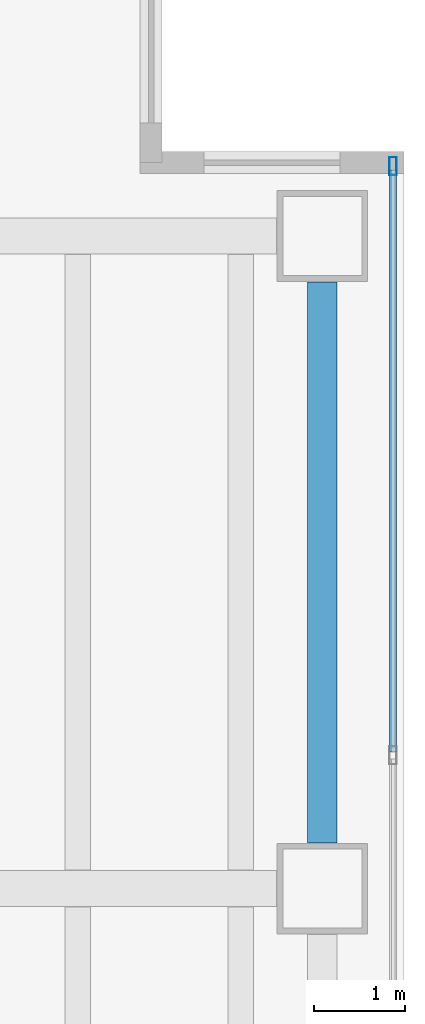
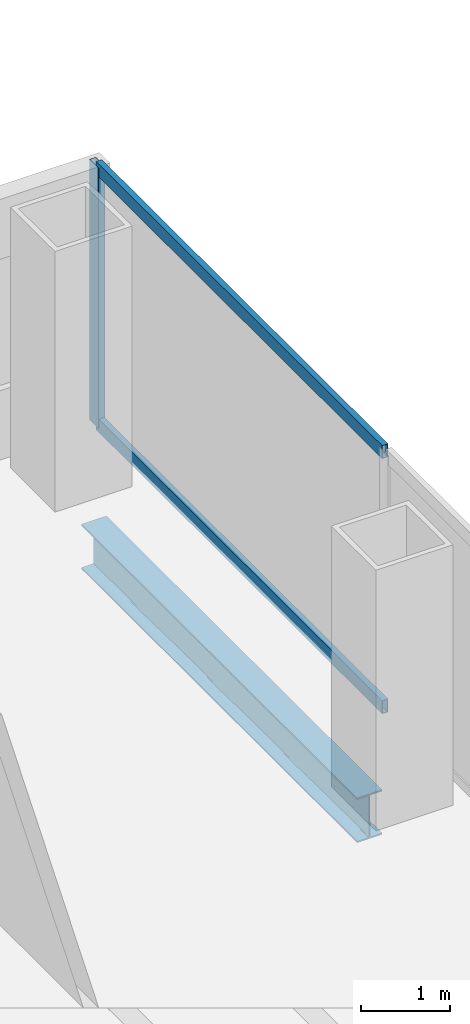
# One storey, part 13 of 23: 3 members, 1 beam, 1 element without a shape of its own.
"""IFC4 building model written with IfcOpenShell, lengths in metres."""

from ifc_helpers import new_model, si_unit, direction, frame, origin, origin_2d, place, context, subcontext, project, spatial, hollow_rectangle, i_section, extrude, material, material_profile, profile_set, type_object, element, aggregate, save


model = new_model("IFC4")

# Units and contexts
model_context = context("Model", 3, precision=1e-05, world=origin(), true_north=direction((0.0, 1.0)))
body_context = subcontext(model_context, "Body", "Model", "MODEL_VIEW")
ifc_project = project(units=[si_unit("LENGTHUNIT", "METRE"), si_unit("AREAUNIT", "SQUARE_METRE"), si_unit("VOLUMEUNIT", "CUBIC_METRE"), si_unit("PLANEANGLEUNIT", "RADIAN"), si_unit("MASSUNIT", "GRAM", prefix="KILO")], contexts=[model_context])

# Site, building, storey
site_placement = place(None, origin())
site = spatial("IfcSite", under=ifc_project, at=site_placement, CompositionType="ELEMENT")
building_placement = place(site_placement, origin())
building = spatial("IfcBuilding", under=site, at=building_placement, Name="Cobrela Telecom Tower", CompositionType="ELEMENT")
storey_placement = place(building_placement, frame((0.0, 0.0, 50.39990234375)))
storey = spatial("IfcBuildingStorey", under=building, at=storey_placement, Name="L12", CompositionType="ELEMENT", Elevation=50.39990234375)

# Beam
ifc_material_1 = material(Name="Steel ASTM A992 Grade 50", Category="steel")
ifc_material_profile_1 = material_profile(ifc_material_1, i_section(OverallWidth=0.324951171875, OverallDepth=0.612060546875, WebThickness=0.0126953125, FlangeThickness=0.01904296875, FilletRadius=0.014892578125, at=origin_2d()), Name="W24X104")
ifc_profile_set_1 = profile_set([ifc_material_profile_1], Name="Steel ASTM A992 Grade 50")
beam_type = type_object("IfcBeamType", Name="BM-SPAND-02", PredefinedType="SPANDREL", material=ifc_profile_set_1)
beam_placement = place(storey_placement, frame((49.5, 14.905029296875, -0.5859375), z_axis=(0.0, 1.0, 0.0), x_axis=(-1.0, 0.0, 0.0)))
element("IfcBeam", 1, at=beam_placement, inside=storey, type_object=beam_type, Name="L12 Perimeter Spandrel Y57", PredefinedType="SPANDREL", context=body_context, shape_type="SweptSolid", body=[
    extrude(i_section(OverallWidth=0.324951171875, OverallDepth=0.612060546875, WebThickness=0.0126953125, FlangeThickness=0.01904296875, FilletRadius=0.014892578125, at=origin_2d()), origin(), (0.0, 0.0, 1.0), 6.18994140625),
])

# Curtain wall, members
ifc_material_2 = material(Name="Anodized Bronze Aluminium 6063-T6", Category="aluminium")
curtain_wall_type = type_object("IfcCurtainWallType", Name="CW-SYS-DATA", PredefinedType="USERDEFINED", material=ifc_material_2)
curtain_wall_placement = place(storey_placement, origin())
curtain_wall = element("IfcCurtainWall", 2, at=curtain_wall_placement, inside=storey, type_object=curtain_wall_type, Name="L12 Unitised Bronze Curtain Wall 14", ObjectType="UNITISED CURTAIN WALL", PredefinedType="USERDEFINED")
ifc_material_profile_2 = material_profile(ifc_material_2, hollow_rectangle(XDim=0.080078125, YDim=0.199951171875, WallThickness=0.00390625, at=origin_2d()), Name="ALU 80x200x4")
ifc_profile_set_2 = profile_set([ifc_material_profile_2], Name="Anodized Bronze Aluminium 6063-T6")
member_type_1 = type_object("IfcMemberType", Name="CW-SYS-DATA-MUL", PredefinedType="MULLION", material=ifc_profile_set_2)
member_1_placement = place(storey_placement, frame((50.280029296875, 22.3701171875, 0.0), z_axis=(0.0, 0.0, 1.0), x_axis=(1.0, 0.0, 0.0)))
member_1 = element("IfcMember", 3, at=member_1_placement, type_object=member_type_1, Name="CW-DATA mullion 1", PredefinedType="MULLION", context=body_context, shape_type="SweptSolid", body=[
    extrude(hollow_rectangle(XDim=0.080078125, YDim=0.199951171875, WallThickness=0.00390625, at=origin_2d()), origin(), (0.0, 0.0, 1.0), 3.570068359375),
])
ifc_material_profile_3 = material_profile(ifc_material_2, hollow_rectangle(XDim=0.074951171875, YDim=0.179931640625, WallThickness=0.00390625, at=origin_2d()), Name="ALU 75x180x4")
ifc_profile_set_3 = profile_set([ifc_material_profile_3], Name="Anodized Bronze Aluminium 6063-T6")
member_type_2 = type_object("IfcMemberType", Name="CW-SYS-DATA-TRN", PredefinedType="USERDEFINED", material=ifc_profile_set_3)
member_2_placement = place(storey_placement, frame((50.280029296875, 22.330078125, 0.03759765625), z_axis=(0.0, -1.0, 0.0), x_axis=(1.0, 0.0, 0.0)))
member_2 = element("IfcMember", 4, at=member_2_placement, type_object=member_type_2, Name="CW-DATA transom 1.1", ObjectType="TRANSOM", PredefinedType="USERDEFINED", context=body_context, shape_type="SweptSolid", body=[
    extrude(hollow_rectangle(XDim=0.074951171875, YDim=0.179931640625, WallThickness=0.00390625, at=origin_2d()), origin(), (0.0, 0.0, 1.0), 6.420166015625),
])
member_3_placement = place(storey_placement, frame((50.280029296875, 22.330078125, 3.53271484375), z_axis=(0.0, -1.0, 0.0), x_axis=(1.0, 0.0, 0.0)))
member_3 = element("IfcMember", 5, at=member_3_placement, type_object=member_type_2, Name="CW-DATA transom 1.2", ObjectType="TRANSOM", PredefinedType="USERDEFINED", context=body_context, shape_type="SweptSolid", body=[
    extrude(hollow_rectangle(XDim=0.074951171875, YDim=0.179931640625, WallThickness=0.00390625, at=origin_2d()), origin(), (0.0, 0.0, 1.0), 6.420166015625),
])
aggregate(curtain_wall, [member_1, member_2, member_3])

save(model, "model.ifc")
